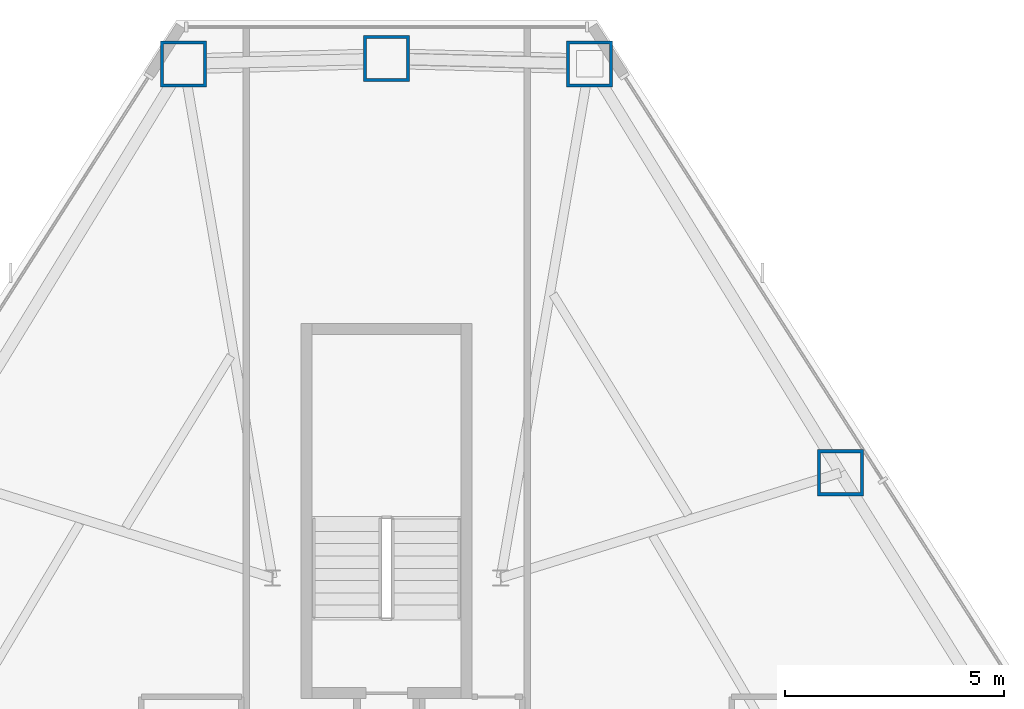
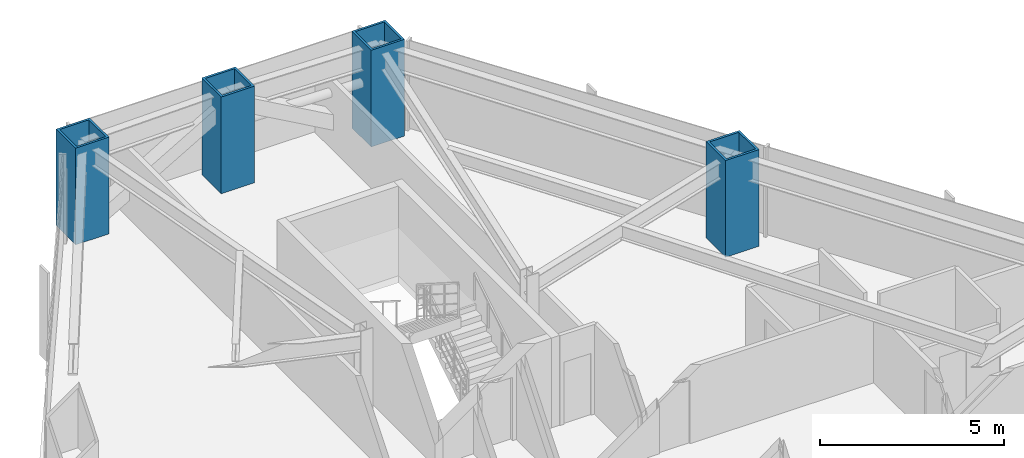
# One storey, part 3 of 13: 4 columns.
"""IFC4 building model written with IfcOpenShell, lengths in metres."""

from ifc_helpers import new_model, si_unit, direction, frame, origin, origin_2d, place, context, subcontext, project, spatial, hollow_rectangle, extrude, material, material_profile, profile_set, type_object, element, save


model = new_model("IFC4")

# Units and contexts
model_context = context("Model", 3, precision=1e-05, world=origin(), true_north=direction((0.0, 1.0)))
body_context = subcontext(model_context, "Body", "Model", "MODEL_VIEW")
ifc_project = project(units=[si_unit("LENGTHUNIT", "METRE"), si_unit("AREAUNIT", "SQUARE_METRE"), si_unit("VOLUMEUNIT", "CUBIC_METRE"), si_unit("PLANEANGLEUNIT", "RADIAN"), si_unit("MASSUNIT", "GRAM", prefix="KILO")], contexts=[model_context])

# Site, building, storey
site_placement = place(None, origin())
site = spatial("IfcSite", under=ifc_project, at=site_placement, CompositionType="ELEMENT")
building_placement = place(site_placement, origin())
building = spatial("IfcBuilding", under=site, at=building_placement, Name="Varakhsha Concourse Tower", CompositionType="ELEMENT")
storey_placement = place(building_placement, frame((0.0, 0.0, 86.199951171875)))
storey = spatial("IfcBuildingStorey", under=building, at=storey_placement, Name="L24", CompositionType="ELEMENT", Elevation=86.199951171875)

# Columns
ifc_material = material(Name="Structural Steel ASTM A572 Grade 50", Category="steel")
ifc_material_profile = material_profile(ifc_material, hollow_rectangle(XDim=1.050048828125, YDim=1.050048828125, WallThickness=0.070068359375, at=origin_2d()), Name="BOX 1050x1050x70")
ifc_profile_set = profile_set([ifc_material_profile], Name="Structural Steel ASTM A572 Grade 50")
column_type = type_object("IfcColumnType", Name="CL-TUBE-1050", PredefinedType="COLUMN", material=ifc_profile_set)
for number, where, z_axis, x_axis, name in (
    (1, (44.624755859375, 52.911865234375, 0.0), (0.0, 0.0, 1.0), (1.0, 0.0, 0.0), "L24 Framed-Tube Column TC01"),
    (2, (40.0, 53.031005859375, 0.0), (0.0, 0.0, 1.0), (1.0, 0.0, 0.0), "L24 Framed-Tube Column TC02"),
    (3, (35.375244140625, 52.911865234375, 0.0), (0.0, 0.0, 1.0), (1.0, 0.0, 0.0), "L24 Framed-Tube Column TC03"),
    (4, (50.337890625, 43.596435546875, 0.0), (0.0, 0.0, 1.0), (1.0, 0.0, 0.0), "L24 Framed-Tube Column TC18"),
):
    element("IfcColumn", number, at=place(storey_placement, frame(where, z_axis=z_axis, x_axis=x_axis)), inside=storey, type_object=column_type, Name=name, PredefinedType="COLUMN", context=body_context, shape_type="SweptSolid", body=[
        extrude(hollow_rectangle(XDim=1.050048828125, YDim=1.050048828125, WallThickness=0.070068359375, at=origin_2d()), origin(), (0.0, 0.0, 1.0), 3.199951171875),
    ])

save(model, "model.ifc")
